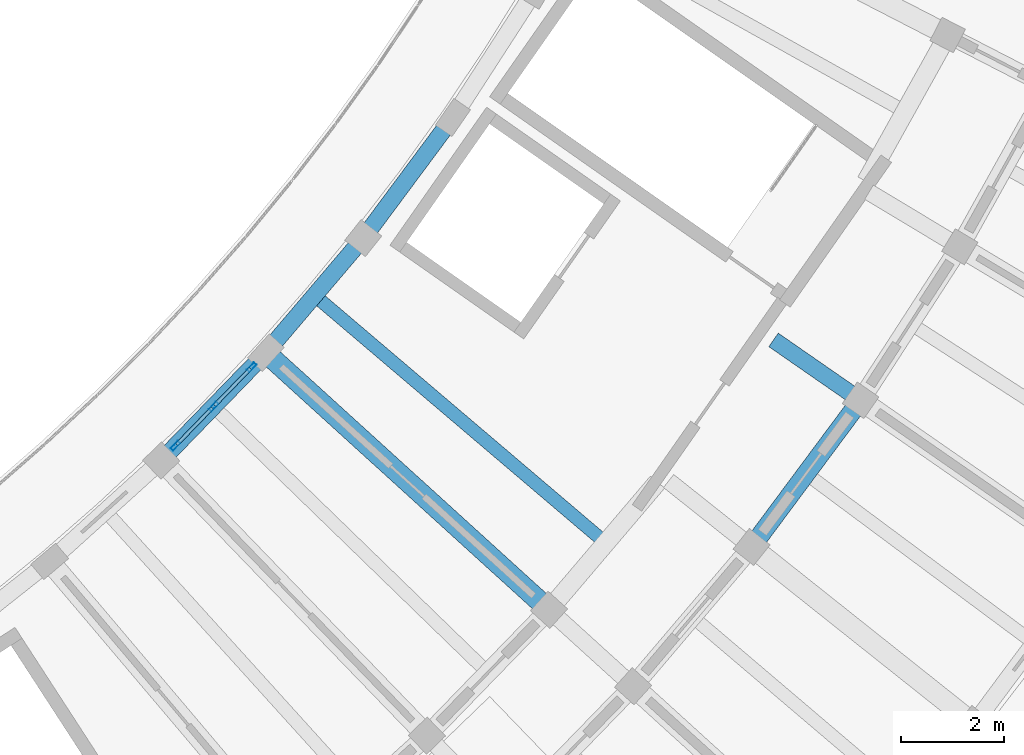
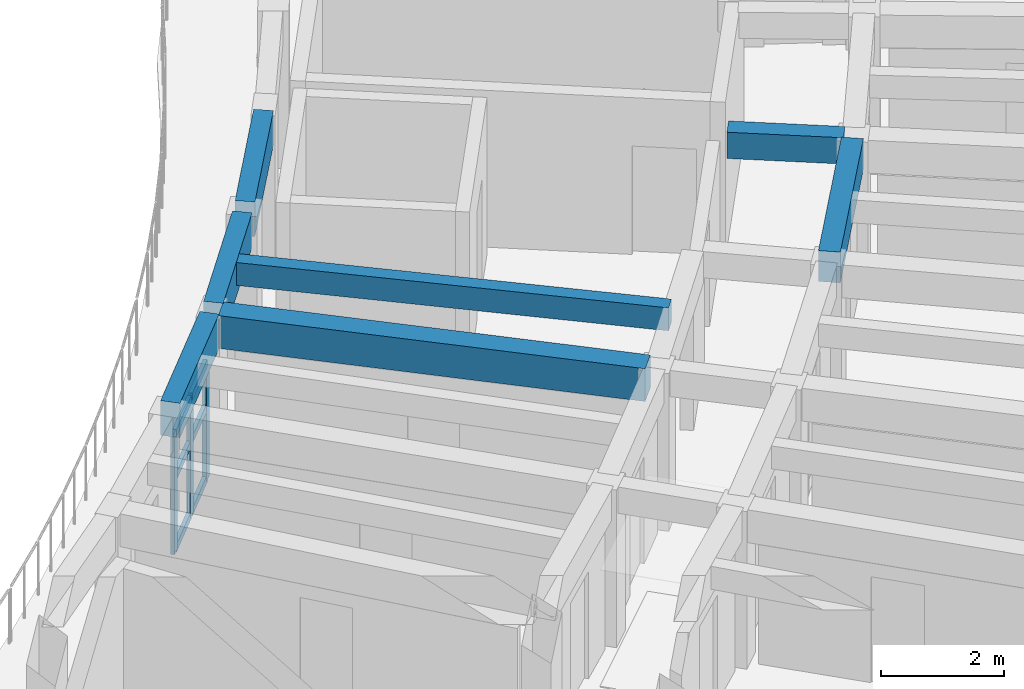
# One storey, part 11 of 56: 9 members, 7 beams, 1 element without a shape of its own.
"""IFC4 building model written with IfcOpenShell, lengths in metres."""

from ifc_helpers import new_model, si_unit, direction, frame, origin, origin_2d, place, context, subcontext, project, spatial, rectangle, hollow_rectangle, extrude, material, material_profile, profile_set, type_object, element, aggregate, save


model = new_model("IFC4")

# Units and contexts
model_context = context("Model", 3, precision=1e-05, world=origin(), true_north=direction((0.0, 1.0)))
body_context = subcontext(model_context, "Body", "Model", "MODEL_VIEW")
ifc_project = project(units=[si_unit("LENGTHUNIT", "METRE"), si_unit("AREAUNIT", "SQUARE_METRE"), si_unit("VOLUMEUNIT", "CUBIC_METRE"), si_unit("PLANEANGLEUNIT", "RADIAN"), si_unit("MASSUNIT", "GRAM", prefix="KILO")], contexts=[model_context])

# Site, building, storey
site_placement = place(None, origin())
site = spatial("IfcSite", under=ifc_project, at=site_placement, CompositionType="ELEMENT")
building_placement = place(site_placement, origin())
building = spatial("IfcBuilding", under=site, at=building_placement, Name="Tanwirah Colonnade Gardens", CompositionType="ELEMENT")
storey_placement = place(building_placement, frame((0.0, 0.0, 29.0)))
storey = spatial("IfcBuildingStorey", under=building, at=storey_placement, Name="L08", CompositionType="ELEMENT", Elevation=29.0)

# Beams
ifc_material_1 = material(Name="Precast concrete C40/50", Category="concrete")
ifc_material_profile_1 = material_profile(ifc_material_1, rectangle(XDim=0.360107421875, YDim=0.610107421875, at=origin_2d()), Name="PC-BM 360x610")
ifc_profile_set_1 = profile_set([ifc_material_profile_1], Name="Precast concrete C40/50")
beam_type_1 = type_object("IfcBeamType", Name="BM-PC300", PredefinedType="BEAM", material=ifc_profile_set_1)
beam_1_placement = place(storey_placement, frame((163.389404296875, 30.973388671875, 2.820068359375), z_axis=(0.596579473879, 0.802554005252, 0.0), x_axis=(-0.802554005252, 0.596579473879, 0.0)))
element("IfcBeam", 1, at=beam_1_placement, inside=storey, type_object=beam_type_1, Name="Block D L08 Circumferential Beam 10-R2", PredefinedType="BEAM", context=body_context, shape_type="SweptSolid", body=[
    extrude(rectangle(XDim=0.360107421875, YDim=0.610107421875, at=origin_2d()), origin(), (0.0, 0.0, 1.0), 3.237060546875),
])
ifc_material_profile_2 = material_profile(ifc_material_1, rectangle(XDim=0.320068359375, YDim=0.52001953125, at=origin_2d()), Name="PC-BM 320x520")
ifc_profile_set_2 = profile_set([ifc_material_profile_2], Name="Precast concrete C40/50")
beam_type_2 = type_object("IfcBeamType", Name="BM-PC320", PredefinedType="BEAM", material=ifc_profile_set_2)
beam_2_placement = place(storey_placement, frame((163.7255859375, 34.860107421875, 2.864990234375), z_axis=(0.821669163201, -0.569964723684, 0.0), x_axis=(0.569964723684, 0.821669163201, 0.0)))
element("IfcBeam", 2, at=beam_2_placement, inside=storey, type_object=beam_type_2, Name="Block D L08 Corridor Tie Beam 11", PredefinedType="BEAM", context=body_context, shape_type="SweptSolid", body=[
    extrude(rectangle(XDim=0.320068359375, YDim=0.52001953125, at=origin_2d()), origin(), (0.0, 0.0, 1.0), 1.900146484375),
])
ifc_material_2 = material(Name="Precast concrete C45/55", Category="concrete")
ifc_material_profile_3 = material_profile(ifc_material_2, rectangle(XDim=0.39990234375, YDim=0.64990234375, at=origin_2d()), Name="PC-BM 400x650")
ifc_profile_set_3 = profile_set([ifc_material_profile_3], Name="Precast concrete C45/55")
beam_type_3 = type_object("IfcBeamType", Name="BM-PC400", PredefinedType="BEAM", material=ifc_profile_set_3)
beam_3_placement = place(storey_placement, frame((159.269287109375, 29.738525390625, 2.800048828125), z_axis=(-0.740213850321, 0.672371516197, 0.0), x_axis=(-0.672371516197, -0.740213850321, 0.0)))
element("IfcBeam", 3, at=beam_3_placement, inside=storey, type_object=beam_type_3, Name="Block D L08 Inner Radial Precast Girder 9", PredefinedType="BEAM", context=body_context, shape_type="SweptSolid", body=[
    extrude(rectangle(XDim=0.39990234375, YDim=0.64990234375, at=origin_2d()), origin(), (0.0, 0.0, 1.0), 7.10009765625),
])

# Curtain wall, members
ifc_material_3 = material(Name="Bronze-anodised aluminium and solar-control low-E glass", Category="aluminium")
curtain_wall_type = type_object("IfcCurtainWallType", Name="CW-GDN", PredefinedType="NOTDEFINED", material=ifc_material_3)
curtain_wall_placement = place(storey_placement, origin())
curtain_wall = element("IfcCurtainWall", 4, at=curtain_wall_placement, inside=storey, type_object=curtain_wall_type, Name="Curtain Wall CW-D-L08-IN-08", PredefinedType="NOTDEFINED")
ifc_material_4 = material(Name="Bronze-anodised aluminium", Category="aluminium")
ifc_material_profile_4 = material_profile(ifc_material_4, hollow_rectangle(XDim=0.070068359375, YDim=0.199951171875, WallThickness=0.00390625, at=origin_2d()), Name="CW-MUL 70x200x4")
ifc_profile_set_4 = profile_set([ifc_material_profile_4], Name="Bronze-anodised aluminium")
member_type_1 = type_object("IfcMemberType", Name="CWM-70x200", PredefinedType="MULLION", material=ifc_profile_set_4)
member_1_placement = place(storey_placement, frame((152.152587890625, 32.808837890625, 0.0), z_axis=(0.0, 0.0, 1.0), x_axis=(-0.717825107678, 0.696223466127, 0.0)))
member_1 = element("IfcMember", 5, at=member_1_placement, type_object=member_type_1, Name="CW-GDN mullion 1", PredefinedType="MULLION", context=body_context, shape_type="SweptSolid", body=[
    extrude(hollow_rectangle(XDim=0.070068359375, YDim=0.199951171875, WallThickness=0.00390625, at=origin_2d()), origin(), (0.0, 0.0, 1.0), 2.35498046875),
])
member_2_placement = place(storey_placement, frame((152.89013671875, 33.5693359375, 0.0), z_axis=(0.0, 0.0, 1.0), x_axis=(-0.717825107678, 0.696223466127, 0.0)))
member_2 = element("IfcMember", 6, at=member_2_placement, type_object=member_type_1, Name="CW-GDN mullion 2", PredefinedType="MULLION", context=body_context, shape_type="SweptSolid", body=[
    extrude(hollow_rectangle(XDim=0.070068359375, YDim=0.199951171875, WallThickness=0.00390625, at=origin_2d()), origin(), (0.0, 0.0, 1.0), 2.35498046875),
])
member_3_placement = place(storey_placement, frame((153.627685546875, 34.329833984375, 0.0), z_axis=(0.0, 0.0, 1.0), x_axis=(-0.717825107678, 0.696223466127, 0.0)))
member_3 = element("IfcMember", 7, at=member_3_placement, type_object=member_type_1, Name="CW-GDN mullion 3", PredefinedType="MULLION", context=body_context, shape_type="SweptSolid", body=[
    extrude(hollow_rectangle(XDim=0.070068359375, YDim=0.199951171875, WallThickness=0.00390625, at=origin_2d()), origin(), (0.0, 0.0, 1.0), 2.35498046875),
])
ifc_material_profile_5 = material_profile(ifc_material_4, hollow_rectangle(XDim=0.070068359375, YDim=0.14990234375, WallThickness=0.00390625, at=origin_2d()), Name="CW-TRN 70x150x4")
ifc_profile_set_5 = profile_set([ifc_material_profile_5], Name="Bronze-anodised aluminium")
member_type_2 = type_object("IfcMemberType", Name="CWT-70x150", PredefinedType="USERDEFINED", material=ifc_profile_set_5)
member_4_placement = place(storey_placement, frame((152.177001953125, 32.833984375, 0.034912109375), z_axis=(0.696165106351, 0.71788170662, 0.0), x_axis=(-0.71788170662, 0.696165106351, 0.0)))
member_4 = element("IfcMember", 8, at=member_4_placement, type_object=member_type_2, Name="CW-GDN transom 1.1", ObjectType="TRANSOM", PredefinedType="USERDEFINED", context=body_context, shape_type="SweptSolid", body=[
    extrude(hollow_rectangle(XDim=0.070068359375, YDim=0.14990234375, WallThickness=0.00390625, at=origin_2d()), origin(), (0.0, 0.0, 1.0), 0.9892578125),
])
member_5_placement = place(storey_placement, frame((152.177001953125, 32.833984375, 1.460205078125), z_axis=(0.696165106351, 0.71788170662, 0.0), x_axis=(-0.71788170662, 0.696165106351, 0.0)))
member_5 = element("IfcMember", 9, at=member_5_placement, type_object=member_type_2, Name="CW-GDN transom 1.2", ObjectType="TRANSOM", PredefinedType="USERDEFINED", context=body_context, shape_type="SweptSolid", body=[
    extrude(hollow_rectangle(XDim=0.070068359375, YDim=0.14990234375, WallThickness=0.00390625, at=origin_2d()), origin(), (0.0, 0.0, 1.0), 0.9892578125),
])
member_6_placement = place(storey_placement, frame((152.177001953125, 32.833984375, 2.320068359375), z_axis=(0.696165106351, 0.71788170662, 0.0), x_axis=(-0.71788170662, 0.696165106351, 0.0)))
member_6 = element("IfcMember", 10, at=member_6_placement, type_object=member_type_2, Name="CW-GDN transom 1.3", ObjectType="TRANSOM", PredefinedType="USERDEFINED", context=body_context, shape_type="SweptSolid", body=[
    extrude(hollow_rectangle(XDim=0.070068359375, YDim=0.14990234375, WallThickness=0.00390625, at=origin_2d()), origin(), (0.0, 0.0, 1.0), 0.9892578125),
])
member_7_placement = place(storey_placement, frame((152.91455078125, 33.594482421875, 0.034912109375), z_axis=(0.696165106351, 0.71788170662, 0.0), x_axis=(-0.71788170662, 0.696165106351, 0.0)))
member_7 = element("IfcMember", 11, at=member_7_placement, type_object=member_type_2, Name="CW-GDN transom 2.1", ObjectType="TRANSOM", PredefinedType="USERDEFINED", context=body_context, shape_type="SweptSolid", body=[
    extrude(hollow_rectangle(XDim=0.070068359375, YDim=0.14990234375, WallThickness=0.00390625, at=origin_2d()), origin(), (0.0, 0.0, 1.0), 0.9892578125),
])
member_8_placement = place(storey_placement, frame((152.91455078125, 33.594482421875, 1.460205078125), z_axis=(0.696165106351, 0.71788170662, 0.0), x_axis=(-0.71788170662, 0.696165106351, 0.0)))
member_8 = element("IfcMember", 12, at=member_8_placement, type_object=member_type_2, Name="CW-GDN transom 2.2", ObjectType="TRANSOM", PredefinedType="USERDEFINED", context=body_context, shape_type="SweptSolid", body=[
    extrude(hollow_rectangle(XDim=0.070068359375, YDim=0.14990234375, WallThickness=0.00390625, at=origin_2d()), origin(), (0.0, 0.0, 1.0), 0.9892578125),
])
member_9_placement = place(storey_placement, frame((152.91455078125, 33.594482421875, 2.320068359375), z_axis=(0.696165106351, 0.71788170662, 0.0), x_axis=(-0.71788170662, 0.696165106351, 0.0)))
member_9 = element("IfcMember", 13, at=member_9_placement, type_object=member_type_2, Name="CW-GDN transom 2.3", ObjectType="TRANSOM", PredefinedType="USERDEFINED", context=body_context, shape_type="SweptSolid", body=[
    extrude(hollow_rectangle(XDim=0.070068359375, YDim=0.14990234375, WallThickness=0.00390625, at=origin_2d()), origin(), (0.0, 0.0, 1.0), 0.9892578125),
])
aggregate(curtain_wall, [member_1, member_2, member_3, member_4, member_5, member_6, member_7, member_8, member_9])

# Beams
ifc_material_profile_6 = material_profile(ifc_material_1, rectangle(XDim=0.2548828125, YDim=0.455078125, at=origin_2d()), Name="PC-JST 255x455")
ifc_profile_set_6 = profile_set([ifc_material_profile_6], Name="Precast concrete C40/50")
beam_type_4 = type_object("IfcBeamType", Name="JST-PC240", PredefinedType="JOIST", material=ifc_profile_set_6)
beam_4_placement = place(storey_placement, frame((154.954345703125, 35.628173828125, 2.8974609375), z_axis=(0.761816472242, -0.647792916464, 0.0), x_axis=(0.647792916464, 0.761816472242, 0.0)))
element("IfcBeam", 14, at=beam_4_placement, inside=storey, type_object=beam_type_4, Name="Block D L08 Inner Precast Floor Joist 9", PredefinedType="JOIST", context=body_context, shape_type="SweptSolid", body=[
    extrude(rectangle(XDim=0.2548828125, YDim=0.455078125, at=origin_2d()), origin(), (0.0, 0.0, 1.0), 7.159912109375),
])
ifc_material_profile_7 = material_profile(ifc_material_1, rectangle(XDim=0.324951171875, YDim=0.68505859375, at=origin_2d()), Name="PC-SP 325x685")
ifc_profile_set_7 = profile_set([ifc_material_profile_7], Name="Precast concrete C40/50")
beam_type_5 = type_object("IfcBeamType", Name="SP-PC260", PredefinedType="SPANDREL", material=ifc_profile_set_7)
beam_5_placement = place(storey_placement, frame((151.98193359375, 32.633056640625, 2.782470703125), z_axis=(0.696262751108, 0.717787002822, 0.0), x_axis=(-0.717787002822, 0.696262751108, 0.0)))
element("IfcBeam", 15, at=beam_5_placement, inside=storey, type_object=beam_type_5, Name="Block D L08 Circumferential Beam 8-R0", PredefinedType="SPANDREL", context=body_context, shape_type="SweptSolid", body=[
    extrude(rectangle(XDim=0.324951171875, YDim=0.68505859375, at=origin_2d()), origin(), (0.0, 0.0, 1.0), 2.60888671875),
])
beam_6_placement = place(storey_placement, frame((153.999755859375, 34.7275390625, 2.782470703125), z_axis=(0.647811402053, 0.761800753065, 0.0), x_axis=(-0.761800753065, 0.647811402053, 0.0)))
element("IfcBeam", 16, at=beam_6_placement, inside=storey, type_object=beam_type_5, Name="Block D L08 Circumferential Beam 9-R0", PredefinedType="SPANDREL", context=body_context, shape_type="SweptSolid", body=[
    extrude(rectangle(XDim=0.324951171875, YDim=0.68505859375, at=origin_2d()), origin(), (0.0, 0.0, 1.0), 2.608642578125),
])
beam_7_placement = place(storey_placement, frame((155.87646484375, 36.94970703125, 2.782470703125), z_axis=(0.596565220249, 0.802564600508, 0.0), x_axis=(-0.802564600508, 0.596565220249, 0.0)))
element("IfcBeam", 17, at=beam_7_placement, inside=storey, type_object=beam_type_5, Name="Block D L08 Circumferential Beam 10-R0", PredefinedType="SPANDREL", context=body_context, shape_type="SweptSolid", body=[
    extrude(rectangle(XDim=0.324951171875, YDim=0.68505859375, at=origin_2d()), origin(), (0.0, 0.0, 1.0), 2.6083984375),
])

save(model, "model.ifc")
